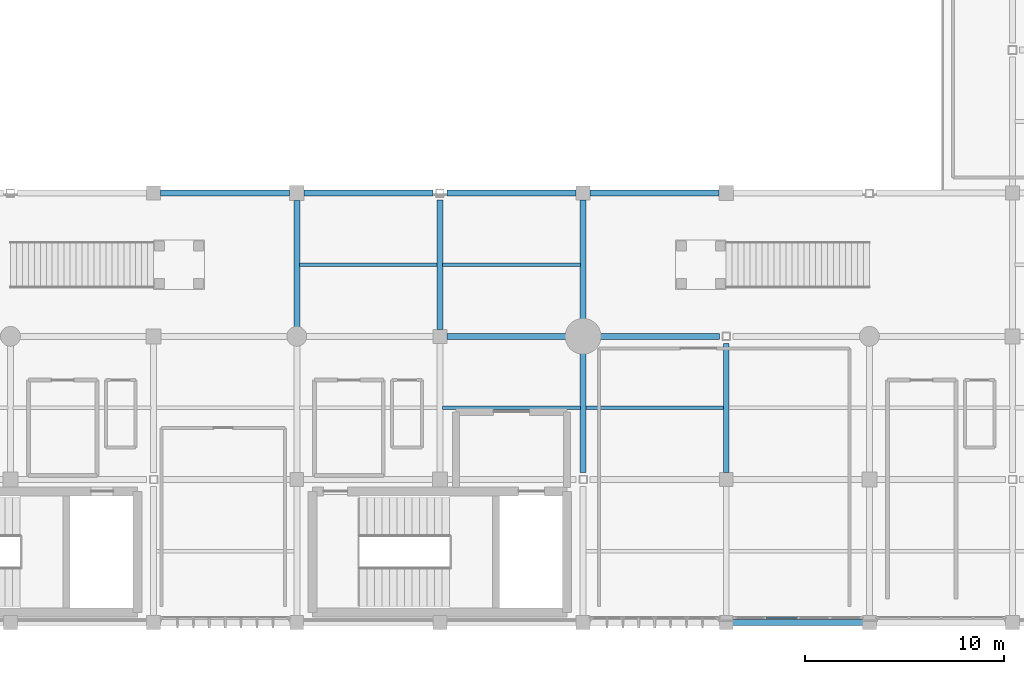
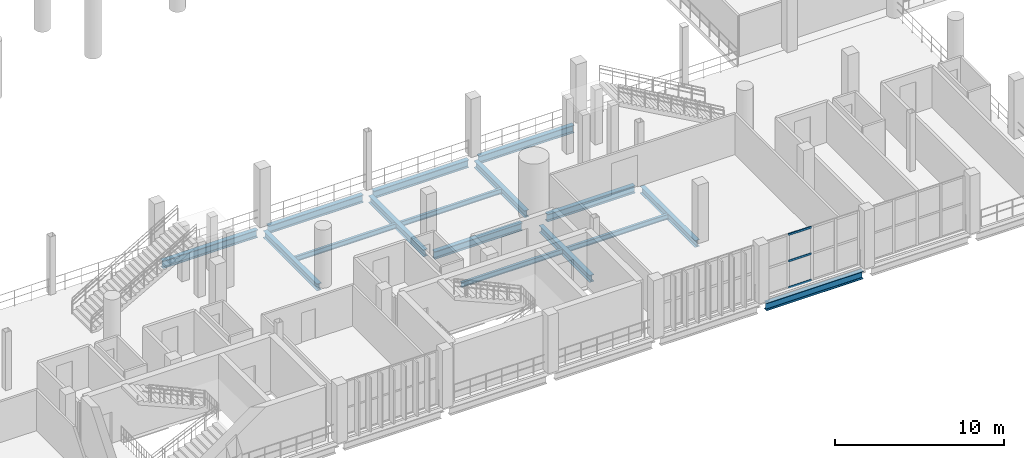
# One storey, part 38 of 130: 16 beams, 3 members, 1 element without a shape of its own.
"""IFC4 building model written with IfcOpenShell, lengths in metres."""

from ifc_helpers import new_model, si_unit, direction, frame, origin, origin_2d, place, context, subcontext, project, spatial, hollow_rectangle, i_section, extrude, material, material_profile, profile_set, type_object, element, aggregate, save


model = new_model("IFC4")

# Units and contexts
model_context = context("Model", 3, precision=1e-05, world=origin(), true_north=direction((0.0, 1.0)))
body_context = subcontext(model_context, "Body", "Model", "MODEL_VIEW")
ifc_project = project(units=[si_unit("LENGTHUNIT", "METRE"), si_unit("AREAUNIT", "SQUARE_METRE"), si_unit("VOLUMEUNIT", "CUBIC_METRE"), si_unit("PLANEANGLEUNIT", "RADIAN"), si_unit("MASSUNIT", "GRAM", prefix="KILO")], contexts=[model_context])

# Site, building, storey
site_placement = place(None, origin())
site = spatial("IfcSite", under=ifc_project, at=site_placement, CompositionType="ELEMENT")
building_placement = place(site_placement, origin())
building = spatial("IfcBuilding", under=site, at=building_placement, Name="Qandorah Velis Arena", CompositionType="ELEMENT")
storey_placement = place(building_placement, frame((0.0, 0.0, 9.60009765625)))
storey = spatial("IfcBuildingStorey", under=building, at=storey_placement, Name="L02", CompositionType="ELEMENT", Elevation=9.60009765625)

# Curtain wall, members
ifc_material_1 = material(Name="Solar-control low-E double glazing", Category="glass")
curtain_wall_type = type_object("IfcCurtainWallType", Name="ARC-CW-SYS18", PredefinedType="USERDEFINED", material=ifc_material_1)
curtain_wall_placement = place(storey_placement, origin())
curtain_wall = element("IfcCurtainWall", 1, at=curtain_wall_placement, inside=storey, type_object=curtain_wall_type, Name="Unitised curtain wall L02-066", ObjectType="UNITISED CURTAIN WALL", PredefinedType="USERDEFINED")
ifc_material_2 = material(Name="Champagne-bronze anodized aluminium 6063-T6", Category="aluminium")
ifc_material_profile_1 = material_profile(ifc_material_2, hollow_rectangle(XDim=0.06494140625, YDim=0.139892578125, WallThickness=0.0029296875, at=origin_2d()), Name="ALU TRANSOM 65x140")
ifc_profile_set_1 = profile_set([ifc_material_profile_1], Name="Champagne-bronze anodized aluminium 6063-T6")
member_type = type_object("IfcMemberType", Name="ARC-CWT-140", PredefinedType="USERDEFINED", material=ifc_profile_set_1)
member_1_placement = place(storey_placement, frame((95.60791015625, 0.25, 0.032470703125), z_axis=(1.0, 0.0, 0.0), x_axis=(0.0, 1.0, 0.0)))
member_1 = element("IfcMember", 2, at=member_1_placement, type_object=member_type, Name="CW18 transom 2.1", ObjectType="TRANSOM", PredefinedType="USERDEFINED", context=body_context, shape_type="SweptSolid", body=[
    extrude(hollow_rectangle(XDim=0.06494140625, YDim=0.139892578125, WallThickness=0.0029296875, at=origin_2d()), origin(), (0.0, 0.0, 1.0), 1.571533203125),
])
member_2_placement = place(storey_placement, frame((95.60791015625, 0.25, 1.93994140625), z_axis=(1.0, 0.0, 0.0), x_axis=(0.0, 1.0, 0.0)))
member_2 = element("IfcMember", 3, at=member_2_placement, type_object=member_type, Name="CW18 transom 2.2", ObjectType="TRANSOM", PredefinedType="USERDEFINED", context=body_context, shape_type="SweptSolid", body=[
    extrude(hollow_rectangle(XDim=0.06494140625, YDim=0.139892578125, WallThickness=0.0029296875, at=origin_2d()), origin(), (0.0, 0.0, 1.0), 1.571533203125),
])
member_3_placement = place(storey_placement, frame((95.60791015625, 0.25, 3.847412109375), z_axis=(1.0, 0.0, 0.0), x_axis=(0.0, 1.0, 0.0)))
member_3 = element("IfcMember", 4, at=member_3_placement, type_object=member_type, Name="CW18 transom 2.3", ObjectType="TRANSOM", PredefinedType="USERDEFINED", context=body_context, shape_type="SweptSolid", body=[
    extrude(hollow_rectangle(XDim=0.06494140625, YDim=0.139892578125, WallThickness=0.0029296875, at=origin_2d()), origin(), (0.0, 0.0, 1.0), 1.571533203125),
])
aggregate(curtain_wall, [member_1, member_2, member_3])

# Beams
ifc_material_3 = material(Name="Steel S355", Category="steel")
ifc_material_profile_2 = material_profile(ifc_material_3, i_section(OverallWidth=0.300048828125, OverallDepth=0.5, WebThickness=0.014404296875, FlangeThickness=0.028076171875, FilletRadius=0.027099609375, at=origin_2d()), Name="HEB 500")
ifc_profile_set_2 = profile_set([ifc_material_profile_2], Name="Steel S355")
beam_type_1 = type_object("IfcBeamType", Name="STR-BM-HEB500", PredefinedType="BEAM", material=ifc_profile_set_2)
beam_1_placement = place(storey_placement, frame((72.0, 14.85009765625, -0.530029296875), z_axis=(0.0, 1.0, 0.0), x_axis=(-1.0, 0.0, 0.0)))
element("IfcBeam", 5, at=beam_1_placement, inside=storey, type_object=beam_type_1, Name="Primary floor girder L02 Y-266", PredefinedType="BEAM", context=body_context, shape_type="SweptSolid", body=[
    extrude(i_section(OverallWidth=0.300048828125, OverallDepth=0.5, WebThickness=0.014404296875, FlangeThickness=0.028076171875, FilletRadius=0.027099609375, at=origin_2d()), origin(), (0.0, 0.0, 1.0), 6.375),
])
beam_2_placement = place(storey_placement, frame((79.199951171875, 14.75, -0.530029296875), z_axis=(0.0, 1.0, 0.0), x_axis=(-1.0, 0.0, 0.0)))
element("IfcBeam", 6, at=beam_2_placement, inside=storey, type_object=beam_type_1, Name="Primary floor girder L02 Y-271", PredefinedType="BEAM", context=body_context, shape_type="SweptSolid", body=[
    extrude(i_section(OverallWidth=0.300048828125, OverallDepth=0.5, WebThickness=0.014404296875, FlangeThickness=0.028076171875, FilletRadius=0.027099609375, at=origin_2d()), origin(), (0.0, 0.0, 1.0), 6.5),
])
for number, where, z_axis, x_axis, name in (
    (7, (86.39990234375, 7.550048828125, -0.530029296875), (0.0, 1.0, 0.0), (-1.0, 0.0, 0.0), "Primary floor girder L02 Y-275"),
    (8, (86.39990234375, 15.25, -0.530029296875), (0.0, 1.0, 0.0), (-1.0, 0.0, 0.0), "Primary floor girder L02 Y-276"),
):
    element("IfcBeam", number, at=place(storey_placement, frame(where, z_axis=z_axis, x_axis=x_axis)), inside=storey, type_object=beam_type_1, Name=name, PredefinedType="BEAM", context=body_context, shape_type="SweptSolid", body=[
        extrude(i_section(OverallWidth=0.300048828125, OverallDepth=0.5, WebThickness=0.014404296875, FlangeThickness=0.028076171875, FilletRadius=0.027099609375, at=origin_2d()), origin(), (0.0, 0.0, 1.0), 6.0),
    ])
beam_3_placement = place(storey_placement, frame((93.60009765625, 7.550048828125, -0.530029296875), z_axis=(0.0, 1.0, 0.0), x_axis=(-1.0, 0.0, 0.0)))
element("IfcBeam", 9, at=beam_3_placement, inside=storey, type_object=beam_type_1, Name="Primary floor girder L02 Y-281", PredefinedType="BEAM", context=body_context, shape_type="SweptSolid", body=[
    extrude(i_section(OverallWidth=0.300048828125, OverallDepth=0.5, WebThickness=0.014404296875, FlangeThickness=0.028076171875, FilletRadius=0.027099609375, at=origin_2d()), origin(), (0.0, 0.0, 1.0), 6.5),
])
ifc_material_profile_3 = material_profile(ifc_material_3, i_section(OverallWidth=0.300048828125, OverallDepth=0.550048828125, WebThickness=0.014892578125, FlangeThickness=0.029052734375, FilletRadius=0.027099609375, at=origin_2d()), Name="HEB 550")
ifc_profile_set_3 = profile_set([ifc_material_profile_3], Name="Steel S355")
beam_type_2 = type_object("IfcBeamType", Name="STR-BM-HEB550", PredefinedType="BEAM", material=ifc_profile_set_3)
beam_4_placement = place(storey_placement, frame((93.89990234375, 0.0, -0.55517578125), z_axis=(1.0, 0.0, 0.0), x_axis=(0.0, 1.0, 0.0)))
element("IfcBeam", 10, at=beam_4_placement, inside=storey, type_object=beam_type_2, Name="Primary floor girder L02 X-010", PredefinedType="BEAM", context=body_context, shape_type="SweptSolid", body=[
    extrude(i_section(OverallWidth=0.300048828125, OverallDepth=0.550048828125, WebThickness=0.014892578125, FlangeThickness=0.029052734375, FilletRadius=0.027099609375, at=origin_2d()), origin(), (0.0, 0.0, 1.0), 6.60009765625),
])
for number, where, z_axis, x_axis, name in (
    (11, (79.550048828125, 14.39990234375, -0.55517578125), (1.0, 0.0, 0.0), (0.0, 1.0, 0.0), "Primary floor girder L02 X-036"),
    (12, (87.25, 14.39990234375, -0.55517578125), (1.0, 0.0, 0.0), (0.0, 1.0, 0.0), "Primary floor girder L02 X-037"),
):
    element("IfcBeam", number, at=place(storey_placement, frame(where, z_axis=z_axis, x_axis=x_axis)), inside=storey, type_object=beam_type_2, Name=name, PredefinedType="BEAM", context=body_context, shape_type="SweptSolid", body=[
        extrude(i_section(OverallWidth=0.300048828125, OverallDepth=0.550048828125, WebThickness=0.014892578125, FlangeThickness=0.029052734375, FilletRadius=0.027099609375, at=origin_2d()), origin(), (0.0, 0.0, 1.0), 6.0),
    ])
for number, where, z_axis, x_axis, name in (
    (13, (65.14990234375, 21.60009765625, -0.55517578125), (1.0, 0.0, 0.0), (0.0, 1.0, 0.0), "Primary floor girder L02 X-050"),
    (14, (72.375, 21.60009765625, -0.55517578125), (1.0, 0.0, 0.0), (0.0, 1.0, 0.0), "Primary floor girder L02 X-051"),
):
    element("IfcBeam", number, at=place(storey_placement, frame(where, z_axis=z_axis, x_axis=x_axis)), inside=storey, type_object=beam_type_2, Name=name, PredefinedType="BEAM", context=body_context, shape_type="SweptSolid", body=[
        extrude(i_section(OverallWidth=0.300048828125, OverallDepth=0.550048828125, WebThickness=0.014892578125, FlangeThickness=0.029052734375, FilletRadius=0.027099609375, at=origin_2d()), origin(), (0.0, 0.0, 1.0), 6.47509765625),
    ])
beam_5_placement = place(storey_placement, frame((79.550048828125, 21.60009765625, -0.55517578125), z_axis=(1.0, 0.0, 0.0), x_axis=(0.0, 1.0, 0.0)))
element("IfcBeam", 15, at=beam_5_placement, inside=storey, type_object=beam_type_2, Name="Primary floor girder L02 X-052", PredefinedType="BEAM", context=body_context, shape_type="SweptSolid", body=[
    extrude(i_section(OverallWidth=0.300048828125, OverallDepth=0.550048828125, WebThickness=0.014892578125, FlangeThickness=0.029052734375, FilletRadius=0.027099609375, at=origin_2d()), origin(), (0.0, 0.0, 1.0), 6.5),
])
beam_6_placement = place(storey_placement, frame((86.75, 21.60009765625, -0.55517578125), z_axis=(1.0, 0.0, 0.0), x_axis=(0.0, 1.0, 0.0)))
element("IfcBeam", 16, at=beam_6_placement, inside=storey, type_object=beam_type_2, Name="Primary floor girder L02 X-053", PredefinedType="BEAM", context=body_context, shape_type="SweptSolid", body=[
    extrude(i_section(OverallWidth=0.300048828125, OverallDepth=0.550048828125, WebThickness=0.014892578125, FlangeThickness=0.029052734375, FilletRadius=0.027099609375, at=origin_2d()), origin(), (0.0, 0.0, 1.0), 6.47509765625),
])
ifc_material_profile_4 = material_profile(ifc_material_3, i_section(OverallWidth=0.169921875, OverallDepth=0.360107421875, WebThickness=0.008056640625, FlangeThickness=0.0126953125, FilletRadius=0.01806640625, at=origin_2d()), Name="IPE 360")
ifc_profile_set_4 = profile_set([ifc_material_profile_4], Name="Steel S355")
beam_type_3 = type_object("IfcBeamType", Name="STR-JST-IPE360", PredefinedType="JOIST", material=ifc_profile_set_4)
for number, where, z_axis, x_axis, name in (
    (17, (72.135009765625, 18.0, -0.460205078125), (1.0, 0.0, 0.0), (0.0, 1.0, 0.0), "Secondary floor joist L02-056"),
    (18, (79.3349609375, 10.800048828125, -0.460205078125), (1.0, 0.0, 0.0), (0.0, 1.0, 0.0), "Secondary floor joist L02-059"),
    (19, (79.3349609375, 18.0, -0.460205078125), (1.0, 0.0, 0.0), (0.0, 1.0, 0.0), "Secondary floor joist L02-060"),
):
    element("IfcBeam", number, at=place(storey_placement, frame(where, z_axis=z_axis, x_axis=x_axis)), inside=storey, type_object=beam_type_3, Name=name, PredefinedType="JOIST", context=body_context, shape_type="SweptSolid", body=[
        extrude(i_section(OverallWidth=0.169921875, OverallDepth=0.360107421875, WebThickness=0.008056640625, FlangeThickness=0.0126953125, FilletRadius=0.01806640625, at=origin_2d()), origin(), (0.0, 0.0, 1.0), 6.929931640625),
    ])
beam_7_placement = place(storey_placement, frame((86.534912109375, 10.800048828125, -0.460205078125), z_axis=(1.0, 0.0, 0.0), x_axis=(0.0, 1.0, 0.0)))
element("IfcBeam", 20, at=beam_7_placement, inside=storey, type_object=beam_type_3, Name="Secondary floor joist L02-064", PredefinedType="JOIST", context=body_context, shape_type="SweptSolid", body=[
    extrude(i_section(OverallWidth=0.169921875, OverallDepth=0.360107421875, WebThickness=0.008056640625, FlangeThickness=0.0126953125, FilletRadius=0.01806640625, at=origin_2d()), origin(), (0.0, 0.0, 1.0), 6.93017578125),
])

save(model, "model.ifc")
